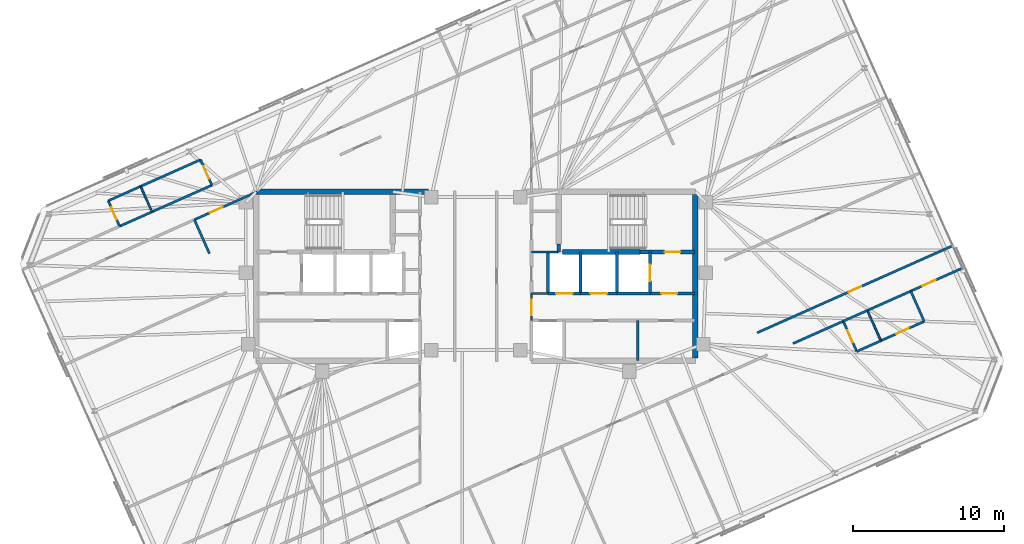
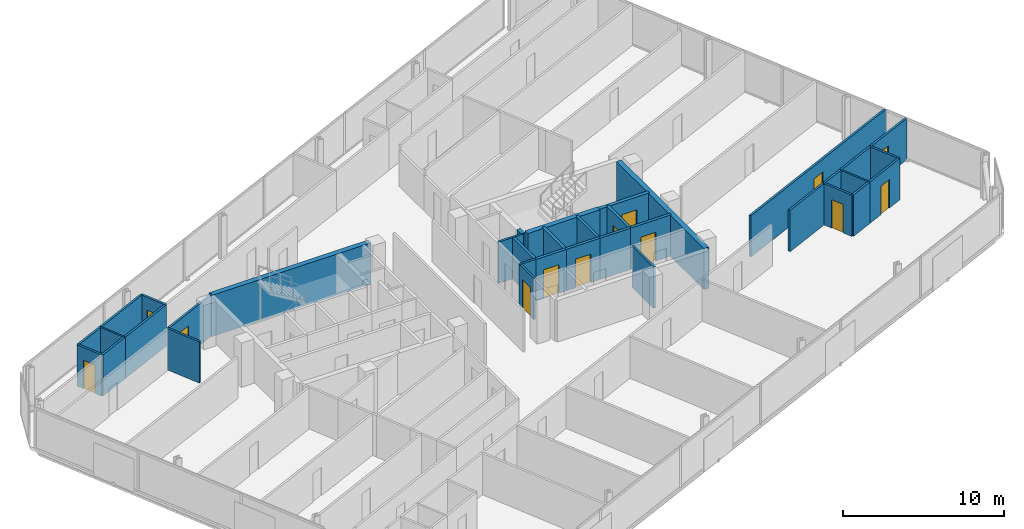
# One storey, part 15 of 19: 36 walls, 13 doors, 13 openings.
"""IFC4 building model written with IfcOpenShell, lengths in metres."""

from ifc_helpers import new_model, si_unit, direction, frame, frame_2d, origin, place, context, subcontext, project, spatial, rectangle, extrude, material, layer, layer_set, type_object, element, fill, save


model = new_model("IFC4")

# Units and contexts
model_context = context("Model", 3, precision=1e-05, world=origin(), true_north=direction((0.0, 1.0)))
body_context = subcontext(model_context, "Body", "Model", "MODEL_VIEW")
ifc_project = project(units=[si_unit("LENGTHUNIT", "METRE"), si_unit("AREAUNIT", "SQUARE_METRE"), si_unit("VOLUMEUNIT", "CUBIC_METRE"), si_unit("PLANEANGLEUNIT", "RADIAN"), si_unit("MASSUNIT", "GRAM", prefix="KILO")], contexts=[model_context])

# Site, building, storey
site_placement = place(None, origin())
site = spatial("IfcSite", under=ifc_project, at=site_placement, CompositionType="ELEMENT")
building_placement = place(site_placement, origin())
building = spatial("IfcBuilding", under=site, at=building_placement, Name="Menara Jurai Vektor", CompositionType="ELEMENT")
storey_placement = place(building_placement, frame((0.0, 0.0, 288.60009765625)))
storey = spatial("IfcBuildingStorey", under=building, at=storey_placement, Name="L77", CompositionType="ELEMENT", Elevation=288.60009765625)

# Wall, opening, door
ifc_material_1 = material(Name="Concrete C40/50", Category="concrete")
ifc_layer_1 = layer(ifc_material_1, 0.25)
ifc_layer_set_1 = layer_set([ifc_layer_1], Name="Concrete C40/50")
wall_type_1 = type_object("IfcWallType", Name="INT-WALL-CORE-250", PredefinedType="STANDARD", material=ifc_layer_set_1)
wall_1_placement = place(storey_placement, frame((10.89990234375, 1.60009765625, 0.0), z_axis=(0.0, 0.0, 1.0), x_axis=(1.0, 0.0, 0.0)))
wall_1 = element("IfcWall", 1, at=wall_1_placement, inside=storey, type_object=wall_type_1, Name="Interior Wall IW-250 L77", PredefinedType="STANDARD", context=body_context, shape_type="SweptSolid", body=[
    extrude(rectangle(XDim=3.60009765625, YDim=0.25, at=frame_2d((1.800048828125, 0.0))), origin(), (0.0, 0.0, 1.0), 3.125),
])
opening_1_placement = place(wall_1_placement, frame((1.6201171875, 0.0, 0.0)))
opening_1 = element("IfcOpeningElement", 2, at=opening_1_placement, cuts=wall_1, Name="Opening D-L77-ST2", PredefinedType="OPENING", context=body_context, shape_type="SweptSolid", body=[
    extrude(rectangle(XDim=1.050048828125, YDim=2.14990234375, at=frame_2d((0.52490234375, 1.074951171875))), frame((0.0, 0.135009765625, 0.0), z_axis=(0.0, -1.0, 0.0), x_axis=(1.0, 0.0, 0.0)), (0.0, 0.0, 1.0), 0.27001953125),
])
ifc_material_2 = material(Name="Fire-Rated Steel Door", Category="steel")
door_type_1 = type_object("IfcDoorType", Name="DR-STAIR-1050", OperationType="NOTDEFINED", PredefinedType="DOOR", material=ifc_material_2)
door_1_placement = place(opening_1_placement, origin())
door_1 = element("IfcDoor", 3, at=door_1_placement, inside=storey, type_object=door_type_1, Name="Exit Stair ST2 Door L77", OperationType="SINGLE_SWING_LEFT", OverallHeight=2.14990234375, OverallWidth=1.050048828125, PredefinedType="DOOR", context=body_context, shape_type="SweptSolid", body=[
    extrude(rectangle(XDim=1.050048828125, YDim=2.14990234375, at=frame_2d((0.52490234375, 1.074951171875))), frame((0.0, 0.02490234375, 0.0), z_axis=(0.0, -1.0, 0.0), x_axis=(1.0, 0.0, 0.0)), (0.0, 0.0, 1.0), 0.050048828125),
])
fill(opening_1, door_1)

# Wall
wall_2_placement = place(storey_placement, frame((5.5, 1.60009765625, 0.0), z_axis=(0.0, 0.0, 1.0), x_axis=(0.0, 1.0, 0.0)))
element("IfcWall", 4, at=wall_2_placement, inside=storey, type_object=wall_type_1, Name="Interior Wall IW-250 L77", PredefinedType="STANDARD", context=body_context, shape_type="SweptSolid", body=[
    extrude(rectangle(XDim=0.5498046875, YDim=0.25, at=frame_2d((0.27490234375, 0.0))), origin(), (0.0, 0.0, 1.0), 3.125),
])

# Wall, opening, door
wall_3_placement = place(storey_placement, frame((11.550048828125, -1.14990234375, 0.0), z_axis=(0.0, 0.0, 1.0), x_axis=(0.0, 1.0, 0.0)))
wall_3 = element("IfcWall", 5, at=wall_3_placement, inside=storey, type_object=wall_type_1, Name="Interior Wall IW-250 L77", PredefinedType="STANDARD", context=body_context, shape_type="SweptSolid", body=[
    extrude(rectangle(XDim=2.75, YDim=0.199951171875, at=frame_2d((1.375, 0.0))), origin(), (0.0, 0.0, 1.0), 3.125),
])
opening_2_placement = place(wall_3_placement, frame((0.824951171875, 0.0, 0.0)))
opening_2 = element("IfcOpeningElement", 6, at=opening_2_placement, cuts=wall_3, Name="Opening LD-L77-FL2", PredefinedType="OPENING", context=body_context, shape_type="SweptSolid", body=[
    extrude(rectangle(XDim=1.10009765625, YDim=2.14990234375, at=frame_2d((0.550048828125, 1.074951171875))), frame((0.0, 0.10986328125, 0.0), z_axis=(0.0, -1.0, 0.0), x_axis=(1.0, 0.0, 0.0)), (0.0, 0.0, 1.0), 0.219970703125),
])
ifc_material_3 = material(Name="Stainless Steel Sliding Lift Landing Door", Category="steel")
door_type_2 = type_object("IfcDoorType", Name="DR-LIFT-FIRE-1100", OperationType="NOTDEFINED", PredefinedType="DOOR", material=ifc_material_3)
door_2_placement = place(opening_2_placement, origin())
door_2 = element("IfcDoor", 7, at=door_2_placement, inside=storey, type_object=door_type_2, Name="Lift Landing Door FL2 L77", OperationType="SLIDING_TO_RIGHT", OverallHeight=2.14990234375, OverallWidth=1.10009765625, PredefinedType="DOOR", context=body_context, shape_type="SweptSolid", body=[
    extrude(rectangle(XDim=1.10009765625, YDim=2.14990234375, at=frame_2d((0.550048828125, 1.074951171875))), frame((0.0, 0.02490234375, 0.0), z_axis=(0.0, -1.0, 0.0), x_axis=(1.0, 0.0, 0.0)), (0.0, 0.0, 1.0), 0.050048828125),
])
fill(opening_2, door_2)

# Wall
wall_4_placement = place(storey_placement, frame((9.35009765625, -1.14990234375, 0.0), z_axis=(0.0, 0.0, 1.0), x_axis=(0.0, 1.0, 0.0)))
element("IfcWall", 8, at=wall_4_placement, inside=storey, type_object=wall_type_1, Name="Interior Wall IW-250 L77", PredefinedType="STANDARD", context=body_context, shape_type="SweptSolid", body=[
    extrude(rectangle(XDim=2.75, YDim=0.199951171875, at=frame_2d((1.375, 0.0))), origin(), (0.0, 0.0, 1.0), 3.125),
])

# Wall, opening, door
wall_5_placement = place(storey_placement, frame((11.550048828125, -1.14990234375, 0.0), z_axis=(0.0, 0.0, 1.0), x_axis=(1.0, 0.0, 0.0)))
wall_5 = element("IfcWall", 9, at=wall_5_placement, inside=storey, type_object=wall_type_1, Name="Interior Wall IW-250 L77", PredefinedType="STANDARD", context=body_context, shape_type="SweptSolid", body=[
    extrude(rectangle(XDim=2.949951171875, YDim=0.199951171875, at=frame_2d((1.47509765625, 0.0))), origin(), (0.0, 0.0, 1.0), 3.125),
])
opening_3_placement = place(wall_5_placement, frame((0.75, 0.0, 0.0)))
opening_3 = element("IfcOpeningElement", 10, at=opening_3_placement, cuts=wall_5, Name="Opening D-L77-FFE", PredefinedType="OPENING", context=body_context, shape_type="SweptSolid", body=[
    extrude(rectangle(XDim=1.050048828125, YDim=2.179931640625, at=frame_2d((0.52490234375, 1.08984375))), frame((0.0, 0.10986328125, 0.0), z_axis=(0.0, -1.0, 0.0), x_axis=(1.0, 0.0, 0.0)), (0.0, 0.0, 1.0), 0.219970703125),
])
ifc_material_4 = material(Name="Fire-Rated Timber Door", Category="wood")
door_type_3 = type_object("IfcDoorType", Name="DR-LOBBY-1050", OperationType="NOTDEFINED", PredefinedType="DOOR", material=ifc_material_4)
door_3_placement = place(opening_3_placement, origin())
door_3 = element("IfcDoor", 11, at=door_3_placement, inside=storey, type_object=door_type_3, Name="Fire Lift Lobby Door E L77", OperationType="SINGLE_SWING_LEFT", OverallHeight=2.179931640625, OverallWidth=1.050048828125, PredefinedType="DOOR", context=body_context, shape_type="SweptSolid", body=[
    extrude(rectangle(XDim=1.050048828125, YDim=2.179931640625, at=frame_2d((0.52490234375, 1.08984375))), frame((0.0, 0.02490234375, 0.0), z_axis=(0.0, -1.0, 0.0), x_axis=(1.0, 0.0, 0.0)), (0.0, 0.0, 1.0), 0.050048828125),
])
fill(opening_3, door_3)

# Wall
wall_6_placement = place(storey_placement, frame((9.35009765625, -1.14990234375, 0.0), z_axis=(0.0, 0.0, 1.0), x_axis=(1.0, 0.0, 0.0)))
element("IfcWall", 12, at=wall_6_placement, inside=storey, type_object=wall_type_1, Name="Interior Wall IW-250 L77", PredefinedType="STANDARD", context=body_context, shape_type="SweptSolid", body=[
    extrude(rectangle(XDim=2.199951171875, YDim=0.199951171875, at=frame_2d((1.10009765625, 0.0))), origin(), (0.0, 0.0, 1.0), 3.125),
])

# Wall, opening, door
ifc_material_5 = material(Name="Gypsum Fireboard Partition", Category="gypsum")
ifc_layer_2 = layer(ifc_material_5, 0.14990234375)
ifc_layer_set_2 = layer_set([ifc_layer_2], Name="Gypsum Fireboard Partition")
wall_type_2 = type_object("IfcWallType", Name="INT-WALL-CORR-150", PredefinedType="PARTITIONING", material=ifc_layer_set_2)
wall_7_placement = place(storey_placement, frame((3.699951171875, -2.949951171875, 0.0), z_axis=(0.0, 0.0, 1.0), x_axis=(0.0, 1.0, 0.0)))
wall_7 = element("IfcWall", 13, at=wall_7_placement, inside=storey, type_object=wall_type_2, Name="Interior Wall IW-150 L77", PredefinedType="PARTITIONING", context=body_context, shape_type="SweptSolid", body=[
    extrude(rectangle(XDim=1.800048828125, YDim=0.14990234375, at=frame_2d((0.89990234375, 0.0))), origin(), (0.0, 0.0, 1.0), 3.125),
])
opening_4_placement = place(wall_7_placement, frame((0.35009765625, 0.0, 0.0)))
opening_4 = element("IfcOpeningElement", 14, at=opening_4_placement, cuts=wall_7, Name="Opening D-L77-LLE", PredefinedType="OPENING", context=body_context, shape_type="SweptSolid", body=[
    extrude(rectangle(XDim=1.050048828125, YDim=2.179931640625, at=frame_2d((0.52490234375, 1.08984375))), frame((0.0, 0.0849609375, 0.0), z_axis=(0.0, -1.0, 0.0), x_axis=(1.0, 0.0, 0.0)), (0.0, 0.0, 1.0), 0.169921875),
])
door_4_placement = place(opening_4_placement, frame((1.050048828125, 0.0, 0.0), z_axis=(0.0, 0.0, 1.0), x_axis=(-1.0, 0.0, 0.0)))
door_4 = element("IfcDoor", 15, at=door_4_placement, inside=storey, type_object=door_type_3, Name="Lift Lobby Corridor Door E L77", OperationType="SINGLE_SWING_RIGHT", OverallHeight=2.179931640625, OverallWidth=1.050048828125, PredefinedType="DOOR", context=body_context, shape_type="SweptSolid", body=[
    extrude(rectangle(XDim=1.050048828125, YDim=2.179931640625, at=frame_2d((0.52490234375, 1.08984375))), frame((0.0, 0.02490234375, 0.0), z_axis=(0.0, -1.0, 0.0), x_axis=(1.0, 0.0, 0.0)), (0.0, 0.0, 1.0), 0.050048828125),
])
fill(opening_4, door_4)

# Walls
wall_8_placement = place(storey_placement, frame((3.699951171875, -1.14990234375, 0.0), z_axis=(0.0, 0.0, 1.0), x_axis=(1.0, 0.0, 0.0)))
element("IfcWall", 16, at=wall_8_placement, inside=storey, type_object=wall_type_2, Name="Interior Wall IW-150 L77", PredefinedType="PARTITIONING", context=body_context, shape_type="SweptSolid", body=[
    extrude(rectangle(XDim=1.090087890625, YDim=0.14990234375, at=frame_2d((0.544921875, 0.0))), origin(), (0.0, 0.0, 1.0), 3.125),
])
wall_9_placement = place(storey_placement, frame((10.739990234375, -5.60009765625, 0.0), z_axis=(0.0, 0.0, 1.0), x_axis=(0.0, 1.0, 0.0)))
element("IfcWall", 17, at=wall_9_placement, inside=storey, type_object=wall_type_2, Name="Interior Wall IW-150 L77", PredefinedType="PARTITIONING", context=body_context, shape_type="SweptSolid", body=[
    extrude(rectangle(XDim=2.650146484375, YDim=0.14990234375, at=frame_2d((1.3251953125, 0.0))), origin(), (0.0, 0.0, 1.0), 3.125),
])
wall_10_placement = place(storey_placement, frame((3.699951171875, 1.60009765625, 0.0), z_axis=(0.0, 0.0, 1.0), x_axis=(1.0, 0.0, 0.0)))
element("IfcWall", 18, at=wall_10_placement, inside=storey, type_object=wall_type_2, Name="Interior Wall IW-150 L77", PredefinedType="PARTITIONING", context=body_context, shape_type="SweptSolid", body=[
    extrude(rectangle(XDim=1.800048828125, YDim=0.14990234375, at=frame_2d((0.89990234375, 0.0))), origin(), (0.0, 0.0, 1.0), 3.125),
])
wall_11_placement = place(storey_placement, frame((-23.6201171875, 3.3125, 0.0), z_axis=(0.0, 0.0, 1.0), x_axis=(0.913558622212, 0.406707073682, 0.0)))
element("IfcWall", 19, at=wall_11_placement, inside=storey, type_object=wall_type_2, Name="Interior Wall IW-150 L77", PredefinedType="PARTITIONING", context=body_context, shape_type="SweptSolid", body=[
    extrude(rectangle(XDim=2.35009765625, YDim=0.14990234375, at=frame_2d((1.175048828125, 0.0))), origin(), (0.0, 0.0, 1.0), 3.125),
])
wall_12_placement = place(storey_placement, frame((-21.47314453125, 4.268310546875, 0.0), z_axis=(0.0, 0.0, 1.0), x_axis=(0.913545193015, 0.406737237438, 0.0)))
element("IfcWall", 20, at=wall_12_placement, inside=storey, type_object=wall_type_2, Name="Interior Wall IW-150 L77", PredefinedType="PARTITIONING", context=body_context, shape_type="SweptSolid", body=[
    extrude(rectangle(XDim=4.349853515625, YDim=0.14990234375, at=frame_2d((2.1748046875, 0.0))), origin(), (0.0, 0.0, 1.0), 3.125),
])
wall_13_placement = place(storey_placement, frame((21.03271484375, -4.46484375, 0.0), z_axis=(0.0, 0.0, 1.0), x_axis=(0.913543802, 0.40674036169, 0.0)))
element("IfcWall", 21, at=wall_13_placement, inside=storey, type_object=wall_type_2, Name="Interior Wall IW-150 L77", PredefinedType="PARTITIONING", context=body_context, shape_type="SweptSolid", body=[
    extrude(rectangle(XDim=3.650146484375, YDim=0.14990234375, at=frame_2d((1.8251953125, 0.0))), origin(), (0.0, 0.0, 1.0), 3.125),
])

# Wall, opening, door
wall_14_placement = place(storey_placement, frame((28.841796875, -0.988037109375, 0.0), z_axis=(0.0, 0.0, 1.0), x_axis=(0.913541633228, 0.406745232743, 0.0)))
wall_14 = element("IfcWall", 22, at=wall_14_placement, inside=storey, type_object=wall_type_2, Name="Interior Wall IW-150 L77", PredefinedType="PARTITIONING", context=body_context, shape_type="SweptSolid", body=[
    extrude(rectangle(XDim=3.77001953125, YDim=0.14990234375, at=frame_2d((1.885009765625, 0.0))), origin(), (0.0, 0.0, 1.0), 3.125),
])
opening_5_placement = place(wall_14_placement, frame((0.844482421875, 0.0, 0.0)))
opening_5 = element("IfcOpeningElement", 23, at=opening_5_placement, cuts=wall_14, Name="Opening D77-19", PredefinedType="OPENING", context=body_context, shape_type="SweptSolid", body=[
    extrude(rectangle(XDim=0.949951171875, YDim=2.14990234375, at=frame_2d((0.47509765625, 1.074951171875))), frame((0.0, 0.0849609375, 0.0), z_axis=(0.0, -1.0, 0.0), x_axis=(1.0, 0.0, 0.0)), (0.0, 0.0, 1.0), 0.169921875),
])
ifc_material_6 = material(Name="Solid Core Timber Fire Door", Category="wood")
door_type_4 = type_object("IfcDoorType", Name="DR-ENTRY-950", OperationType="NOTDEFINED", PredefinedType="DOOR", material=ifc_material_6)
door_5_placement = place(opening_5_placement, origin())
door_5 = element("IfcDoor", 24, at=door_5_placement, inside=storey, type_object=door_type_4, Name="Interior Door D77-19", OperationType="SINGLE_SWING_LEFT", OverallHeight=2.14990234375, OverallWidth=0.949951171875, PredefinedType="DOOR", context=body_context, shape_type="SweptSolid", body=[
    extrude(rectangle(XDim=0.949951171875, YDim=2.14990234375, at=frame_2d((0.47509765625, 1.074951171875))), frame((0.0, 0.02490234375, 0.0), z_axis=(0.0, -1.0, 0.0), x_axis=(1.0, 0.0, 0.0)), (0.0, 0.0, 1.0), 0.050048828125),
])
fill(opening_5, door_5)

# Walls
wall_15_placement = place(storey_placement, frame((24.3671875, -2.980224609375, 0.0), z_axis=(0.0, 0.0, 1.0), x_axis=(0.9135579554, 0.406708571492, 0.0)))
element("IfcWall", 25, at=wall_15_placement, inside=storey, type_object=wall_type_2, Name="Interior Wall IW-150 L77", PredefinedType="PARTITIONING", context=body_context, shape_type="SweptSolid", body=[
    extrude(rectangle(XDim=1.748046875, YDim=0.14990234375, at=frame_2d((0.8740234375, 0.0))), origin(), (0.0, 0.0, 1.0), 3.125),
])
wall_16_placement = place(storey_placement, frame((25.964111328125, -2.269287109375, 0.0), z_axis=(0.0, 0.0, 1.0), x_axis=(0.913542880558, 0.406742431252, 0.0)))
element("IfcWall", 26, at=wall_16_placement, inside=storey, type_object=wall_type_2, Name="Interior Wall IW-150 L77", PredefinedType="PARTITIONING", context=body_context, shape_type="SweptSolid", body=[
    extrude(rectangle(XDim=3.150146484375, YDim=0.14990234375, at=frame_2d((1.5751953125, 0.0))), origin(), (0.0, 0.0, 1.0), 3.125),
])

# Wall, opening, door
wall_17_placement = place(storey_placement, frame((-18.6611328125, 3.7470703125, 0.0), z_axis=(0.0, 0.0, 1.0), x_axis=(0.913535055583, 0.40676000568, 0.0)))
wall_17 = element("IfcWall", 27, at=wall_17_placement, inside=storey, type_object=wall_type_2, Name="Interior Wall IW-150 L77", PredefinedType="PARTITIONING", context=body_context, shape_type="SweptSolid", body=[
    extrude(rectangle(XDim=4.554931640625, YDim=0.14990234375, at=frame_2d((2.27734375, 0.0))), origin(), (0.0, 0.0, 1.0), 3.125),
])
opening_6_placement = place(wall_17_placement, frame((1.13427734375, 0.0, 0.0)))
opening_6 = element("IfcOpeningElement", 28, at=opening_6_placement, cuts=wall_17, Name="Opening D77-40", PredefinedType="OPENING", context=body_context, shape_type="SweptSolid", body=[
    extrude(rectangle(XDim=0.919921875, YDim=2.14990234375, at=frame_2d((0.4599609375, 1.074951171875))), frame((0.0, 0.0849609375, 0.0), z_axis=(0.0, -1.0, 0.0), x_axis=(1.0, 0.0, 0.0)), (0.0, 0.0, 1.0), 0.169921875),
])
door_6_placement = place(opening_6_placement, origin())
door_6 = element("IfcDoor", 29, at=door_6_placement, inside=storey, type_object=door_type_4, Name="Interior Door D77-40", OperationType="SINGLE_SWING_RIGHT", OverallHeight=2.14990234375, OverallWidth=0.919921875, PredefinedType="DOOR", context=body_context, shape_type="SweptSolid", body=[
    extrude(rectangle(XDim=0.919921875, YDim=2.14990234375, at=frame_2d((0.4599609375, 1.074951171875))), frame((0.0, 0.02490234375, 0.0), z_axis=(0.0, -1.0, 0.0), x_axis=(1.0, 0.0, 0.0)), (0.0, 0.0, 1.0), 0.050048828125),
])
fill(opening_6, door_6)

wall_18_placement = place(storey_placement, frame((18.661865234375, -3.747314453125, 0.0), z_axis=(0.0, 0.0, 1.0), x_axis=(0.913544622417, 0.406738519018, 0.0)))
wall_18 = element("IfcWall", 30, at=wall_18_placement, inside=storey, type_object=wall_type_2, Name="Interior Wall IW-150 L77", PredefinedType="PARTITIONING", context=body_context, shape_type="SweptSolid", body=[
    extrude(rectangle(XDim=14.192138671875, YDim=0.14990234375, at=frame_2d((7.09619140625, 0.0))), origin(), (0.0, 0.0, 1.0), 3.125),
])
opening_7_placement = place(wall_18_placement, frame((6.635986328125, 0.0, 0.0)))
opening_7 = element("IfcOpeningElement", 31, at=opening_7_placement, cuts=wall_18, Name="Opening D77-42", PredefinedType="OPENING", context=body_context, shape_type="SweptSolid", body=[
    extrude(rectangle(XDim=0.919921875, YDim=2.14990234375, at=frame_2d((0.4599609375, 1.074951171875))), frame((0.0, 0.0849609375, 0.0), z_axis=(0.0, -1.0, 0.0), x_axis=(1.0, 0.0, 0.0)), (0.0, 0.0, 1.0), 0.169921875),
])
door_7_placement = place(opening_7_placement, origin())
door_7 = element("IfcDoor", 32, at=door_7_placement, inside=storey, type_object=door_type_4, Name="Interior Door D77-42", OperationType="SINGLE_SWING_RIGHT", OverallHeight=2.14990234375, OverallWidth=0.919921875, PredefinedType="DOOR", context=body_context, shape_type="SweptSolid", body=[
    extrude(rectangle(XDim=0.919921875, YDim=2.14990234375, at=frame_2d((0.4599609375, 1.074951171875))), frame((0.0, 0.02490234375, 0.0), z_axis=(0.0, -1.0, 0.0), x_axis=(1.0, 0.0, 0.0)), (0.0, 0.0, 1.0), 0.050048828125),
])
fill(opening_7, door_7)

wall_19_placement = place(storey_placement, frame((-23.6201171875, 3.3125, 0.0), z_axis=(0.0, 0.0, 1.0), x_axis=(-0.406701600856, 0.913561058639, 0.0)))
wall_19 = element("IfcWall", 33, at=wall_19_placement, inside=storey, type_object=wall_type_2, Name="Interior Wall IW-150 L77", PredefinedType="PARTITIONING", context=body_context, shape_type="SweptSolid", body=[
    extrude(rectangle(XDim=1.85009765625, YDim=0.14990234375, at=frame_2d((0.925048828125, 0.0))), origin(), (0.0, 0.0, 1.0), 3.125),
])
opening_8_placement = place(wall_19_placement, frame((0.485107421875, 0.0, 0.0)))
opening_8 = element("IfcOpeningElement", 34, at=opening_8_placement, cuts=wall_19, Name="Opening D77-11", PredefinedType="OPENING", context=body_context, shape_type="SweptSolid", body=[
    extrude(rectangle(XDim=0.8798828125, YDim=2.14990234375, at=frame_2d((0.43994140625, 1.074951171875))), frame((0.0, 0.0849609375, 0.0), z_axis=(0.0, -1.0, 0.0), x_axis=(1.0, 0.0, 0.0)), (0.0, 0.0, 1.0), 0.169921875),
])
ifc_material_7 = material(Name="Moisture-Resistant Timber Door", Category="wood")
door_type_5 = type_object("IfcDoorType", Name="DR-BATH-880", OperationType="NOTDEFINED", PredefinedType="DOOR", material=ifc_material_7)
door_8_placement = place(opening_8_placement, origin())
door_8 = element("IfcDoor", 35, at=door_8_placement, inside=storey, type_object=door_type_5, Name="Interior Door D77-11", OperationType="SINGLE_SWING_LEFT", OverallHeight=2.14990234375, OverallWidth=0.8798828125, PredefinedType="DOOR", context=body_context, shape_type="SweptSolid", body=[
    extrude(rectangle(XDim=0.8798828125, YDim=2.14990234375, at=frame_2d((0.43994140625, 1.074951171875))), frame((0.0, 0.02490234375, 0.0), z_axis=(0.0, -1.0, 0.0), x_axis=(1.0, 0.0, 0.0)), (0.0, 0.0, 1.0), 0.050048828125),
])
fill(opening_8, door_8)

# Walls
wall_20_placement = place(storey_placement, frame((-24.37255859375, 5.002685546875, 0.0), z_axis=(0.0, 0.0, 1.0), x_axis=(0.913558622212, 0.406707073682, 0.0)))
element("IfcWall", 36, at=wall_20_placement, inside=storey, type_object=wall_type_2, Name="Interior Wall IW-150 L77", PredefinedType="PARTITIONING", context=body_context, shape_type="SweptSolid", body=[
    extrude(rectangle(XDim=2.35009765625, YDim=0.14990234375, at=frame_2d((1.175048828125, 0.0))), origin(), (0.0, 0.0, 1.0), 3.125),
])
wall_21_placement = place(storey_placement, frame((-22.2255859375, 5.95849609375, 0.0), z_axis=(0.0, 0.0, 1.0), x_axis=(0.913545193015, 0.406737237438, 0.0)))
element("IfcWall", 37, at=wall_21_placement, inside=storey, type_object=wall_type_2, Name="Interior Wall IW-150 L77", PredefinedType="PARTITIONING", context=body_context, shape_type="SweptSolid", body=[
    extrude(rectangle(XDim=4.349853515625, YDim=0.14990234375, at=frame_2d((2.1748046875, 0.0))), origin(), (0.0, 0.0, 1.0), 3.125),
])

# Wall, opening, door
wall_22_placement = place(storey_placement, frame((-17.499267578125, 6.03759765625, 0.0), z_axis=(0.0, 0.0, 1.0), x_axis=(-0.406701600856, 0.913561058639, 0.0)))
wall_22 = element("IfcWall", 38, at=wall_22_placement, inside=storey, type_object=wall_type_2, Name="Interior Wall IW-150 L77", PredefinedType="PARTITIONING", context=body_context, shape_type="SweptSolid", body=[
    extrude(rectangle(XDim=1.85009765625, YDim=0.14990234375, at=frame_2d((0.925048828125, 0.0))), origin(), (0.0, 0.0, 1.0), 3.125),
])
opening_9_placement = place(wall_22_placement, frame((0.47509765625, 0.0, 0.0)))
opening_9 = element("IfcOpeningElement", 39, at=opening_9_placement, cuts=wall_22, Name="Opening D77-12", PredefinedType="OPENING", context=body_context, shape_type="SweptSolid", body=[
    extrude(rectangle(XDim=0.89990234375, YDim=2.14990234375, at=frame_2d((0.449951171875, 1.074951171875))), frame((0.0, 0.0849609375, 0.0), z_axis=(0.0, -1.0, 0.0), x_axis=(1.0, 0.0, 0.0)), (0.0, 0.0, 1.0), 0.169921875),
])
ifc_material_8 = material(Name="Acoustic Timber Interior Door", Category="wood")
door_type_6 = type_object("IfcDoorType", Name="DR-ROOM-900", OperationType="NOTDEFINED", PredefinedType="DOOR", material=ifc_material_8)
door_9_placement = place(opening_9_placement, origin())
door_9 = element("IfcDoor", 40, at=door_9_placement, inside=storey, type_object=door_type_6, Name="Interior Door D77-12", OperationType="SINGLE_SWING_RIGHT", OverallHeight=2.14990234375, OverallWidth=0.89990234375, PredefinedType="DOOR", context=body_context, shape_type="SweptSolid", body=[
    extrude(rectangle(XDim=0.89990234375, YDim=2.14990234375, at=frame_2d((0.449951171875, 1.074951171875))), frame((0.0, 0.02490234375, 0.0), z_axis=(0.0, -1.0, 0.0), x_axis=(1.0, 0.0, 0.0)), (0.0, 0.0, 1.0), 0.050048828125),
])
fill(opening_9, door_9)

wall_23_placement = place(storey_placement, frame((25.261962890625, -4.989990234375, 0.0), z_axis=(0.0, 0.0, 1.0), x_axis=(-0.406725294076, 0.913550510459, 0.0)))
wall_23 = element("IfcWall", 41, at=wall_23_placement, inside=storey, type_object=wall_type_2, Name="Interior Wall IW-150 L77", PredefinedType="PARTITIONING", context=body_context, shape_type="SweptSolid", body=[
    extrude(rectangle(XDim=2.199951171875, YDim=0.14990234375, at=frame_2d((1.10009765625, 0.0))), origin(), (0.0, 0.0, 1.0), 3.125),
])
opening_10_placement = place(wall_23_placement, frame((0.659912109375, 0.0, 0.0)))
opening_10 = element("IfcOpeningElement", 42, at=opening_10_placement, cuts=wall_23, Name="Opening D77-20", PredefinedType="OPENING", context=body_context, shape_type="SweptSolid", body=[
    extrude(rectangle(XDim=0.8798828125, YDim=2.14990234375, at=frame_2d((0.43994140625, 1.074951171875))), frame((0.0, 0.0849609375, 0.0), z_axis=(0.0, -1.0, 0.0), x_axis=(1.0, 0.0, 0.0)), (0.0, 0.0, 1.0), 0.169921875),
])
door_10_placement = place(opening_10_placement, origin())
door_10 = element("IfcDoor", 43, at=door_10_placement, inside=storey, type_object=door_type_5, Name="Interior Door D77-20", OperationType="SINGLE_SWING_RIGHT", OverallHeight=2.14990234375, OverallWidth=0.8798828125, PredefinedType="DOOR", context=body_context, shape_type="SweptSolid", body=[
    extrude(rectangle(XDim=0.8798828125, YDim=2.14990234375, at=frame_2d((0.43994140625, 1.074951171875))), frame((0.0, 0.02490234375, 0.0), z_axis=(0.0, -1.0, 0.0), x_axis=(1.0, 0.0, 0.0)), (0.0, 0.0, 1.0), 0.050048828125),
])
fill(opening_10, door_10)

# Wall
wall_24_placement = place(storey_placement, frame((25.261962890625, -4.989990234375, 0.0), z_axis=(0.0, 0.0, 1.0), x_axis=(0.9135579554, 0.406708571492, 0.0)))
element("IfcWall", 44, at=wall_24_placement, inside=storey, type_object=wall_type_2, Name="Interior Wall IW-150 L77", PredefinedType="PARTITIONING", context=body_context, shape_type="SweptSolid", body=[
    extrude(rectangle(XDim=1.748046875, YDim=0.14990234375, at=frame_2d((0.8740234375, 0.0))), origin(), (0.0, 0.0, 1.0), 3.125),
])

# Wall, opening, door
wall_25_placement = place(storey_placement, frame((26.85888671875, -4.279052734375, 0.0), z_axis=(0.0, 0.0, 1.0), x_axis=(0.913542880558, 0.406742431252, 0.0)))
wall_25 = element("IfcWall", 45, at=wall_25_placement, inside=storey, type_object=wall_type_2, Name="Interior Wall IW-150 L77", PredefinedType="PARTITIONING", context=body_context, shape_type="SweptSolid", body=[
    extrude(rectangle(XDim=3.150146484375, YDim=0.14990234375, at=frame_2d((1.5751953125, 0.0))), origin(), (0.0, 0.0, 1.0), 3.125),
])
opening_11_placement = place(wall_25_placement, frame((1.125, 0.0, 0.0)))
opening_11 = element("IfcOpeningElement", 46, at=opening_11_placement, cuts=wall_25, Name="Opening D77-21", PredefinedType="OPENING", context=body_context, shape_type="SweptSolid", body=[
    extrude(rectangle(XDim=0.89990234375, YDim=2.14990234375, at=frame_2d((0.449951171875, 1.074951171875))), frame((0.0, 0.0849609375, 0.0), z_axis=(0.0, -1.0, 0.0), x_axis=(1.0, 0.0, 0.0)), (0.0, 0.0, 1.0), 0.169921875),
])
door_11_placement = place(opening_11_placement, origin())
door_11 = element("IfcDoor", 47, at=door_11_placement, inside=storey, type_object=door_type_6, Name="Interior Door D77-21", OperationType="SINGLE_SWING_LEFT", OverallHeight=2.14990234375, OverallWidth=0.89990234375, PredefinedType="DOOR", context=body_context, shape_type="SweptSolid", body=[
    extrude(rectangle(XDim=0.89990234375, YDim=2.14990234375, at=frame_2d((0.449951171875, 1.074951171875))), frame((0.0, 0.02490234375, 0.0), z_axis=(0.0, -1.0, 0.0), x_axis=(1.0, 0.0, 0.0)), (0.0, 0.0, 1.0), 0.050048828125),
])
fill(opening_11, door_11)

# Walls
wall_26_placement = place(storey_placement, frame((29.736572265625, -2.997802734375, 0.0), z_axis=(0.0, 0.0, 1.0), x_axis=(-0.406725294076, 0.913550510459, 0.0)))
element("IfcWall", 48, at=wall_26_placement, inside=storey, type_object=wall_type_2, Name="Interior Wall IW-150 L77", PredefinedType="PARTITIONING", context=body_context, shape_type="SweptSolid", body=[
    extrude(rectangle(XDim=2.199951171875, YDim=0.14990234375, at=frame_2d((1.10009765625, 0.0))), origin(), (0.0, 0.0, 1.0), 3.125),
])
wall_27_placement = place(storey_placement, frame((-17.66259765625, 1.50439453125, 0.0), z_axis=(0.0, 0.0, 1.0), x_axis=(-0.406747374275, 0.913540679729, 0.0)))
element("IfcWall", 49, at=wall_27_placement, inside=storey, type_object=wall_type_2, Name="Interior Wall IW-150 L77", PredefinedType="PARTITIONING", context=body_context, shape_type="SweptSolid", body=[
    extrude(rectangle(XDim=2.454833984375, YDim=0.14990234375, at=frame_2d((1.2275390625, 0.0))), origin(), (0.0, 0.0, 1.0), 3.125),
])
ifc_material_9 = material(Name="Gypsum Acoustic Stud Partition", Category="gypsum")
ifc_layer_3 = layer(ifc_material_9, 0.1201171875)
ifc_layer_set_3 = layer_set([ifc_layer_3], Name="Gypsum Acoustic Stud Partition")
wall_type_3 = type_object("IfcWallType", Name="INT-WALL-PART-120", PredefinedType="PARTITIONING", material=ifc_layer_set_3)
wall_28_placement = place(storey_placement, frame((-21.47314453125, 4.268310546875, 0.0), z_axis=(0.0, 0.0, 1.0), x_axis=(-0.406701600856, 0.913561058639, 0.0)))
element("IfcWall", 50, at=wall_28_placement, inside=storey, type_object=wall_type_3, Name="Interior Wall IW-120 L77", PredefinedType="PARTITIONING", context=body_context, shape_type="SweptSolid", body=[
    extrude(rectangle(XDim=1.85009765625, YDim=0.1201171875, at=frame_2d((0.925048828125, 0.0))), origin(), (0.0, 0.0, 1.0), 3.125),
])
wall_29_placement = place(storey_placement, frame((26.85888671875, -4.279052734375, 0.0), z_axis=(0.0, 0.0, 1.0), x_axis=(-0.406725294076, 0.913550510459, 0.0)))
element("IfcWall", 51, at=wall_29_placement, inside=storey, type_object=wall_type_3, Name="Interior Wall IW-120 L77", PredefinedType="PARTITIONING", context=body_context, shape_type="SweptSolid", body=[
    extrude(rectangle(XDim=2.199951171875, YDim=0.1201171875, at=frame_2d((1.10009765625, 0.0))), origin(), (0.0, 0.0, 1.0), 3.125),
])
ifc_layer_4 = layer(ifc_material_1, 0.199951171875)
ifc_layer_set_4 = layer_set([ifc_layer_4], Name="Concrete C40/50")
wall_type_4 = type_object("IfcWallType", Name="INT-WALL-SHAFT-200", PredefinedType="STANDARD", material=ifc_layer_set_4)
wall_30_placement = place(storey_placement, frame((6.949951171875, -1.14990234375, 0.0), z_axis=(0.0, 0.0, 1.0), x_axis=(0.0, 1.0, 0.0)))
element("IfcWall", 52, at=wall_30_placement, inside=storey, type_object=wall_type_4, Name="Interior Wall IW-200 L77", PredefinedType="STANDARD", context=body_context, shape_type="SweptSolid", body=[
    extrude(rectangle(XDim=2.75, YDim=0.199951171875, at=frame_2d((1.375, 0.0))), origin(), (0.0, 0.0, 1.0), 3.125),
])

# Wall, opening, door
wall_31_placement = place(storey_placement, frame((6.949951171875, -1.14990234375, 0.0), z_axis=(0.0, 0.0, 1.0), x_axis=(1.0, 0.0, 0.0)))
wall_31 = element("IfcWall", 53, at=wall_31_placement, inside=storey, type_object=wall_type_4, Name="Interior Wall IW-200 L77", PredefinedType="STANDARD", context=body_context, shape_type="SweptSolid", body=[
    extrude(rectangle(XDim=2.400146484375, YDim=0.199951171875, at=frame_2d((1.2001953125, 0.0))), origin(), (0.0, 0.0, 1.0), 3.125),
])
opening_12_placement = place(wall_31_placement, frame((0.64990234375, 0.0, 0.0)))
opening_12 = element("IfcOpeningElement", 54, at=opening_12_placement, cuts=wall_31, Name="Opening LD-L77-SVL2", PredefinedType="OPENING", context=body_context, shape_type="SweptSolid", body=[
    extrude(rectangle(XDim=1.10009765625, YDim=2.14990234375, at=frame_2d((0.550048828125, 1.074951171875))), frame((0.0, 0.10986328125, 0.0), z_axis=(0.0, -1.0, 0.0), x_axis=(1.0, 0.0, 0.0)), (0.0, 0.0, 1.0), 0.219970703125),
])
ifc_material_10 = material(Name="Anodised Stainless Sliding Lift Landing Door", Category="steel")
door_type_7 = type_object("IfcDoorType", Name="DR-LIFT-PASS-1100", OperationType="NOTDEFINED", PredefinedType="DOOR", material=ifc_material_10)
door_12_placement = place(opening_12_placement, origin())
door_12 = element("IfcDoor", 55, at=door_12_placement, inside=storey, type_object=door_type_7, Name="Lift Landing Door SVL2 L77", OperationType="SLIDING_TO_RIGHT", OverallHeight=2.14990234375, OverallWidth=1.10009765625, PredefinedType="DOOR", context=body_context, shape_type="SweptSolid", body=[
    extrude(rectangle(XDim=1.10009765625, YDim=2.14990234375, at=frame_2d((0.550048828125, 1.074951171875))), frame((0.0, 0.02490234375, 0.0), z_axis=(0.0, -1.0, 0.0), x_axis=(1.0, 0.0, 0.0)), (0.0, 0.0, 1.0), 0.050048828125),
])
fill(opening_12, door_12)

# Wall
wall_32_placement = place(storey_placement, frame((4.7900390625, -1.14990234375, 0.0), z_axis=(0.0, 0.0, 1.0), x_axis=(0.0, 1.0, 0.0)))
element("IfcWall", 56, at=wall_32_placement, inside=storey, type_object=wall_type_4, Name="Interior Wall IW-200 L77", PredefinedType="STANDARD", context=body_context, shape_type="SweptSolid", body=[
    extrude(rectangle(XDim=2.75, YDim=0.199951171875, at=frame_2d((1.375, 0.0))), origin(), (0.0, 0.0, 1.0), 3.125),
])

# Wall, opening, door
wall_33_placement = place(storey_placement, frame((4.7900390625, -1.14990234375, 0.0), z_axis=(0.0, 0.0, 1.0), x_axis=(1.0, 0.0, 0.0)))
wall_33 = element("IfcWall", 57, at=wall_33_placement, inside=storey, type_object=wall_type_4, Name="Interior Wall IW-200 L77", PredefinedType="STANDARD", context=body_context, shape_type="SweptSolid", body=[
    extrude(rectangle(XDim=2.159912109375, YDim=0.199951171875, at=frame_2d((1.080078125, 0.0))), origin(), (0.0, 0.0, 1.0), 3.125),
])
opening_13_placement = place(wall_33_placement, frame((0.530029296875, 0.0, 0.0)))
opening_13 = element("IfcOpeningElement", 58, at=opening_13_placement, cuts=wall_33, Name="Opening LD-L77-PH4", PredefinedType="OPENING", context=body_context, shape_type="SweptSolid", body=[
    extrude(rectangle(XDim=1.10009765625, YDim=2.14990234375, at=frame_2d((0.550048828125, 1.074951171875))), frame((0.0, 0.10986328125, 0.0), z_axis=(0.0, -1.0, 0.0), x_axis=(1.0, 0.0, 0.0)), (0.0, 0.0, 1.0), 0.219970703125),
])
door_13_placement = place(opening_13_placement, origin())
door_13 = element("IfcDoor", 59, at=door_13_placement, inside=storey, type_object=door_type_7, Name="Lift Landing Door PH4 L77", OperationType="SLIDING_TO_LEFT", OverallHeight=2.14990234375, OverallWidth=1.10009765625, PredefinedType="DOOR", context=body_context, shape_type="SweptSolid", body=[
    extrude(rectangle(XDim=1.10009765625, YDim=2.14990234375, at=frame_2d((0.550048828125, 1.074951171875))), frame((0.0, 0.02490234375, 0.0), z_axis=(0.0, -1.0, 0.0), x_axis=(1.0, 0.0, 0.0)), (0.0, 0.0, 1.0), 0.050048828125),
])
fill(opening_13, door_13)

# Walls
ifc_material_11 = material(Name="Concrete C50/60", Category="concrete")
ifc_layer_5 = layer(ifc_material_11, 0.35009765625)
ifc_layer_set_5 = layer_set([ifc_layer_5], Name="Concrete C50/60")
wall_type_5 = type_object("IfcWallType", Name="STR-WALL-CORE350", PredefinedType="SHEAR", material=ifc_layer_set_5)
wall_34_placement = place(storey_placement, frame((-14.56005859375, 5.60009765625, 0.0), z_axis=(0.0, 0.0, 1.0), x_axis=(1.0, 0.0, 0.0)))
element("IfcWall", 60, at=wall_34_placement, inside=storey, type_object=wall_type_5, Name="Core Shear Wall CW-W-N L77", PredefinedType="SHEAR", context=body_context, shape_type="SweptSolid", body=[
    extrude(rectangle(XDim=11.41015625, YDim=0.35009765625, at=frame_2d((5.705078125, 0.0))), origin(), (0.0, 0.0, 1.0), 3.125),
])
wall_35_placement = place(storey_placement, frame((14.56005859375, -5.425048828125, 0.0), z_axis=(0.0, 0.0, 1.0), x_axis=(0.0, 1.0, 0.0)))
element("IfcWall", 61, at=wall_35_placement, inside=storey, type_object=wall_type_5, Name="Core Shear Wall CW-E-E L77", PredefinedType="SHEAR", context=body_context, shape_type="SweptSolid", body=[
    extrude(rectangle(XDim=10.85009765625, YDim=0.35009765625, at=frame_2d((5.425048828125, 0.0))), origin(), (0.0, 0.0, 1.0), 3.125),
])
wall_36_placement = place(storey_placement, frame((5.75, 1.60009765625, 0.0), z_axis=(0.0, 0.0, 1.0), x_axis=(1.0, 0.0, 0.0)))
element("IfcWall", 62, at=wall_36_placement, inside=storey, type_object=wall_type_5, Name="Core Shear Wall CW-E-STS L77", PredefinedType="SHEAR", context=body_context, shape_type="SweptSolid", body=[
    extrude(rectangle(XDim=5.14990234375, YDim=0.35009765625, at=frame_2d((2.574951171875, 0.0))), origin(), (0.0, 0.0, 1.0), 3.125),
])

save(model, "model.ifc")
